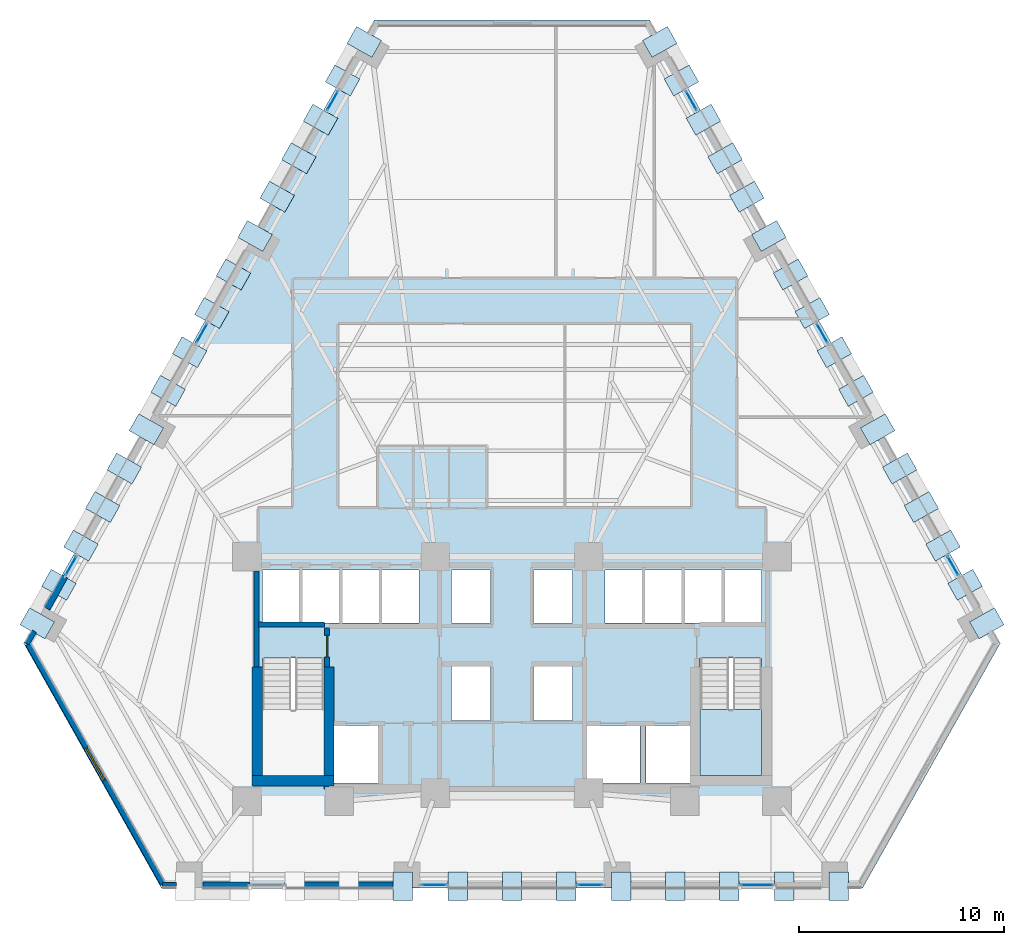
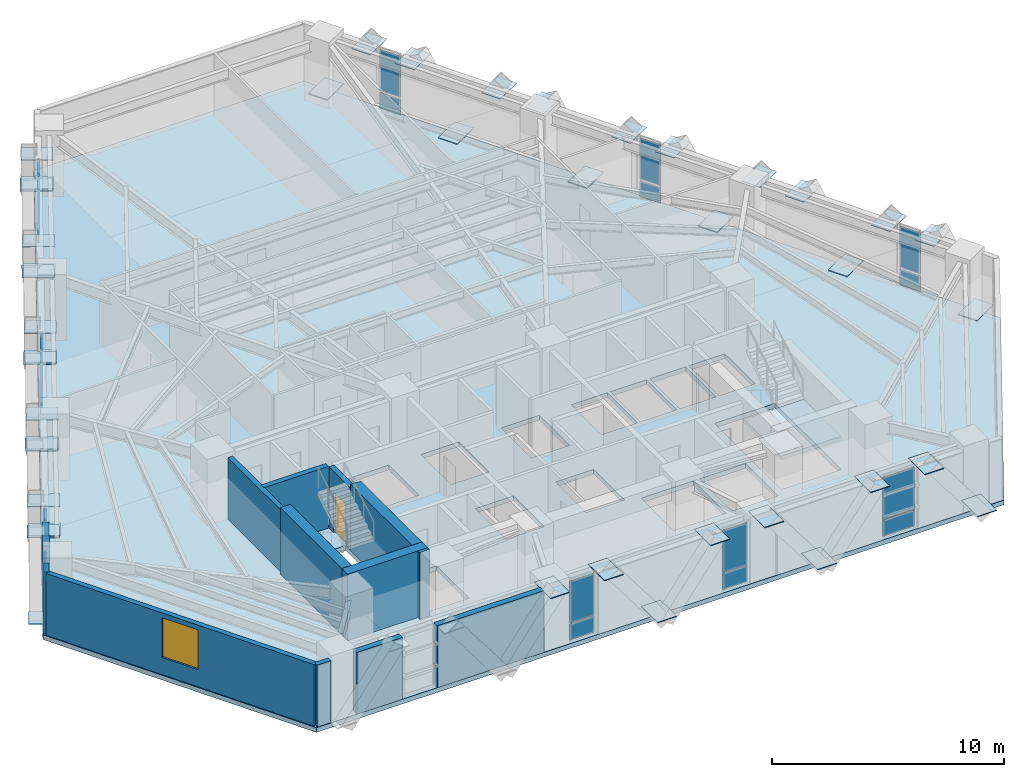
# One storey, part 6 of 13: 59 plates, 12 walls, 2 slabs, 1 door, 1 window, 2 openings, 10 elements without a shape of their own.
"""IFC4 building model written with IfcOpenShell, lengths in metres."""

from ifc_helpers import new_model, si_unit, direction, frame, frame_2d, origin, origin_2d, place, context, subcontext, project, spatial, polyline, rectangle, outline, extrude, material, layer, layer_set, type_object, element, fill, aggregate, save


model = new_model("IFC4")

# Units and contexts
model_context = context("Model", 3, precision=1e-05, world=origin(), true_north=direction((0.0, 1.0)))
body_context = subcontext(model_context, "Body", "Model", "MODEL_VIEW")
ifc_project = project(units=[si_unit("LENGTHUNIT", "METRE"), si_unit("AREAUNIT", "SQUARE_METRE"), si_unit("VOLUMEUNIT", "CUBIC_METRE"), si_unit("PLANEANGLEUNIT", "RADIAN"), si_unit("MASSUNIT", "GRAM", prefix="KILO")], contexts=[model_context])

# Site, building, storey
site_placement = place(None, origin())
site = spatial("IfcSite", under=ifc_project, at=site_placement, CompositionType="ELEMENT")
building_placement = place(site_placement, origin())
building = spatial("IfcBuilding", under=site, at=building_placement, Name="Quenlor Broadcast Tower", CompositionType="ELEMENT")
storey_placement = place(building_placement, frame((0.0, 0.0, 59.10009765625)))
storey = spatial("IfcBuildingStorey", under=building, at=storey_placement, Name="L15", CompositionType="ELEMENT", Elevation=59.10009765625)

# Curtain wall, plates
ifc_material_1 = material(Name="Architectural Terracotta and Low-E Glazing", Category="masonry")
curtain_wall_type = type_object("IfcCurtainWallType", Name="Unitised Terracotta Curtain Wall System Z1", PredefinedType="NOTDEFINED", material=ifc_material_1)
curtain_wall_1_placement = place(storey_placement, origin())
curtain_wall_1 = element("IfcCurtainWall", 1, at=curtain_wall_1_placement, inside=storey, type_object=curtain_wall_type, Name="L15 Curtain Wall CW1 (L15-SA-G1)", PredefinedType="NOTDEFINED")
ifc_material_2 = material(Name="Double Glazed Low-E Solar Glass", Category="glass")
ifc_layer_1 = layer(ifc_material_2, 0.031982421875)
ifc_layer_set_1 = layer_set([ifc_layer_1], Name="CW1 Double Glazed Vision Panel 32")
plate_type_1 = type_object("IfcPlateType", Name="CW1 Double Glazed Vision Panel 32", PredefinedType="CURTAIN_PANEL", material=ifc_layer_set_1)
plate_1_placement = place(storey_placement, frame((11.970703125, -20.840087890625, 0.079833984375), z_axis=(0.0, 0.0, 1.0), x_axis=(-1.0, 0.0, 0.0)))
plate_1 = element("IfcPlate", 2, at=plate_1_placement, type_object=plate_type_1, Name="CW1 panel 1.1", PredefinedType="CURTAIN_PANEL", context=body_context, shape_type="SweptSolid", body=[
    extrude(rectangle(XDim=1.568359375, YDim=0.031982421875, at=origin_2d()), origin(), (0.0, 0.0, 1.0), 0.830078125),
])
plate_2_placement = place(storey_placement, frame((11.970703125, -20.840087890625, 0.98974609375), z_axis=(0.0, 0.0, 1.0), x_axis=(-1.0, 0.0, 0.0)))
plate_2 = element("IfcPlate", 3, at=plate_2_placement, type_object=plate_type_1, Name="CW1 panel 1.2", PredefinedType="CURTAIN_PANEL", context=body_context, shape_type="SweptSolid", body=[
    extrude(rectangle(XDim=1.568359375, YDim=0.031982421875, at=origin_2d()), origin(), (0.0, 0.0, 1.0), 2.179931640625),
])
aggregate(curtain_wall_1, [plate_1, plate_2])

curtain_wall_2_placement = place(storey_placement, origin())
curtain_wall_2 = element("IfcCurtainWall", 4, at=curtain_wall_2_placement, inside=storey, type_object=curtain_wall_type, Name="L15 Curtain Wall CW1 (L15-S-G1)", PredefinedType="NOTDEFINED")
plate_3_placement = place(storey_placement, frame((3.81103515625, -20.840087890625, 0.079833984375), z_axis=(0.0, 0.0, 1.0), x_axis=(-1.0, 0.0, 0.0)))
plate_3 = element("IfcPlate", 5, at=plate_3_placement, type_object=plate_type_1, Name="CW1 panel 1.1", PredefinedType="CURTAIN_PANEL", context=body_context, shape_type="SweptSolid", body=[
    extrude(rectangle(XDim=1.209716796875, YDim=0.031982421875, at=origin_2d()), origin(), (0.0, 0.0, 1.0), 0.830078125),
])
plate_4_placement = place(storey_placement, frame((3.81103515625, -20.840087890625, 0.98974609375), z_axis=(0.0, 0.0, 1.0), x_axis=(-1.0, 0.0, 0.0)))
plate_4 = element("IfcPlate", 6, at=plate_4_placement, type_object=plate_type_1, Name="CW1 panel 1.2", PredefinedType="CURTAIN_PANEL", context=body_context, shape_type="SweptSolid", body=[
    extrude(rectangle(XDim=1.209716796875, YDim=0.031982421875, at=origin_2d()), origin(), (0.0, 0.0, 1.0), 2.179931640625),
])
aggregate(curtain_wall_2, [plate_3, plate_4])

curtain_wall_3_placement = place(storey_placement, origin())
curtain_wall_3 = element("IfcCurtainWall", 7, at=curtain_wall_3_placement, inside=storey, type_object=curtain_wall_type, Name="L15 Curtain Wall CW1 (L15-S-G2)", PredefinedType="NOTDEFINED")
plate_5_placement = place(storey_placement, frame((-3.81103515625, -20.840087890625, 0.079833984375), z_axis=(0.0, 0.0, 1.0), x_axis=(-1.0, 0.0, 0.0)))
plate_5 = element("IfcPlate", 8, at=plate_5_placement, type_object=plate_type_1, Name="CW1 panel 1.1", PredefinedType="CURTAIN_PANEL", context=body_context, shape_type="SweptSolid", body=[
    extrude(rectangle(XDim=1.209716796875, YDim=0.031982421875, at=origin_2d()), origin(), (0.0, 0.0, 1.0), 0.830078125),
])
plate_6_placement = place(storey_placement, frame((-3.81103515625, -20.840087890625, 0.98974609375), z_axis=(0.0, 0.0, 1.0), x_axis=(-1.0, 0.0, 0.0)))
plate_6 = element("IfcPlate", 9, at=plate_6_placement, type_object=plate_type_1, Name="CW1 panel 1.2", PredefinedType="CURTAIN_PANEL", context=body_context, shape_type="SweptSolid", body=[
    extrude(rectangle(XDim=1.209716796875, YDim=0.031982421875, at=origin_2d()), origin(), (0.0, 0.0, 1.0), 2.179931640625),
])
aggregate(curtain_wall_3, [plate_5, plate_6])

curtain_wall_4_placement = place(storey_placement, origin())
curtain_wall_4 = element("IfcCurtainWall", 10, at=curtain_wall_4_placement, inside=storey, type_object=curtain_wall_type, Name="L15 Curtain Wall CW1 (L15-NEA-G1)", PredefinedType="NOTDEFINED")
plate_7_placement = place(storey_placement, frame((8.766845703125, 17.48779296875, 0.079833984375), z_axis=(0.0, 0.0, 1.0), x_axis=(0.490276943553, -0.871566703483, 0.0)))
plate_7 = element("IfcPlate", 11, at=plate_7_placement, type_object=plate_type_1, Name="CW1 panel 1.1", PredefinedType="CURTAIN_PANEL", context=body_context, shape_type="SweptSolid", body=[
    extrude(rectangle(XDim=1.04931640625, YDim=0.031982421875, at=origin_2d()), origin(), (0.0, 0.0, 1.0), 0.830078125),
])
plate_8_placement = place(storey_placement, frame((8.766845703125, 17.48779296875, 0.98974609375), z_axis=(0.0, 0.0, 1.0), x_axis=(0.490276943553, -0.871566703483, 0.0)))
plate_8 = element("IfcPlate", 12, at=plate_8_placement, type_object=plate_type_1, Name="CW1 panel 1.2", PredefinedType="CURTAIN_PANEL", context=body_context, shape_type="SweptSolid", body=[
    extrude(rectangle(XDim=1.04931640625, YDim=0.031982421875, at=origin_2d()), origin(), (0.0, 0.0, 1.0), 2.179931640625),
])
aggregate(curtain_wall_4, [plate_7, plate_8])

curtain_wall_5_placement = place(storey_placement, origin())
curtain_wall_5 = element("IfcCurtainWall", 13, at=curtain_wall_5_placement, inside=storey, type_object=curtain_wall_type, Name="L15 Curtain Wall CW1 (L15-NEC-G1)", PredefinedType="NOTDEFINED")
plate_9_placement = place(storey_placement, frame((21.553955078125, -5.24462890625, 0.079833984375), z_axis=(0.0, 0.0, 1.0), x_axis=(0.490276943553, -0.871566703483, 0.0)))
plate_9 = element("IfcPlate", 14, at=plate_9_placement, type_object=plate_type_1, Name="CW1 panel 1.1", PredefinedType="CURTAIN_PANEL", context=body_context, shape_type="SweptSolid", body=[
    extrude(rectangle(XDim=1.04931640625, YDim=0.031982421875, at=origin_2d()), origin(), (0.0, 0.0, 1.0), 0.830078125),
])
plate_10_placement = place(storey_placement, frame((21.553955078125, -5.24462890625, 0.98974609375), z_axis=(0.0, 0.0, 1.0), x_axis=(0.490276943553, -0.871566703483, 0.0)))
plate_10 = element("IfcPlate", 15, at=plate_10_placement, type_object=plate_type_1, Name="CW1 panel 1.2", PredefinedType="CURTAIN_PANEL", context=body_context, shape_type="SweptSolid", body=[
    extrude(rectangle(XDim=1.04931640625, YDim=0.031982421875, at=origin_2d()), origin(), (0.0, 0.0, 1.0), 2.179931640625),
])
aggregate(curtain_wall_5, [plate_9, plate_10])

curtain_wall_6_placement = place(storey_placement, origin())
curtain_wall_6 = element("IfcCurtainWall", 16, at=curtain_wall_6_placement, inside=storey, type_object=curtain_wall_type, Name="L15 Curtain Wall CW1 (L15-NE-G1)", PredefinedType="NOTDEFINED")
plate_11_placement = place(storey_placement, frame((15.16064453125, 6.12158203125, 0.079833984375), z_axis=(0.0, 0.0, 1.0), x_axis=(0.490276943553, -0.871566703483, 0.0)))
plate_11 = element("IfcPlate", 17, at=plate_11_placement, type_object=plate_type_1, Name="CW1 panel 1.1", PredefinedType="CURTAIN_PANEL", context=body_context, shape_type="SweptSolid", body=[
    extrude(rectangle(XDim=1.04931640625, YDim=0.031982421875, at=origin_2d()), origin(), (0.0, 0.0, 1.0), 0.830078125),
])
plate_12_placement = place(storey_placement, frame((15.16064453125, 6.12158203125, 0.98974609375), z_axis=(0.0, 0.0, 1.0), x_axis=(0.490276943553, -0.871566703483, 0.0)))
plate_12 = element("IfcPlate", 18, at=plate_12_placement, type_object=plate_type_1, Name="CW1 panel 1.2", PredefinedType="CURTAIN_PANEL", context=body_context, shape_type="SweptSolid", body=[
    extrude(rectangle(XDim=1.04931640625, YDim=0.031982421875, at=origin_2d()), origin(), (0.0, 0.0, 1.0), 2.179931640625),
])
aggregate(curtain_wall_6, [plate_11, plate_12])

curtain_wall_7_placement = place(storey_placement, origin())
curtain_wall_7 = element("IfcCurtainWall", 19, at=curtain_wall_7_placement, inside=storey, type_object=curtain_wall_type, Name="L15 Curtain Wall CW1 (L15-NWA-G1)", PredefinedType="NOTDEFINED")
plate_13_placement = place(storey_placement, frame((-21.553955078125, -5.24462890625, 0.079833984375), z_axis=(0.0, 0.0, 1.0), x_axis=(0.490276943553, 0.871566703483, 0.0)))
plate_13 = element("IfcPlate", 20, at=plate_13_placement, type_object=plate_type_1, Name="CW1 panel 1.1", PredefinedType="CURTAIN_PANEL", context=body_context, shape_type="SweptSolid", body=[
    extrude(rectangle(XDim=1.04931640625, YDim=0.031982421875, at=origin_2d()), origin(), (0.0, 0.0, 1.0), 0.830078125),
])
plate_14_placement = place(storey_placement, frame((-21.553955078125, -5.24462890625, 0.98974609375), z_axis=(0.0, 0.0, 1.0), x_axis=(0.490276943553, 0.871566703483, 0.0)))
plate_14 = element("IfcPlate", 21, at=plate_14_placement, type_object=plate_type_1, Name="CW1 panel 1.2", PredefinedType="CURTAIN_PANEL", context=body_context, shape_type="SweptSolid", body=[
    extrude(rectangle(XDim=1.04931640625, YDim=0.031982421875, at=origin_2d()), origin(), (0.0, 0.0, 1.0), 2.179931640625),
])
aggregate(curtain_wall_7, [plate_13, plate_14])

curtain_wall_8_placement = place(storey_placement, origin())
curtain_wall_8 = element("IfcCurtainWall", 22, at=curtain_wall_8_placement, inside=storey, type_object=curtain_wall_type, Name="L15 Curtain Wall CW1 (L15-NWC-G1)", PredefinedType="NOTDEFINED")
plate_15_placement = place(storey_placement, frame((-8.766845703125, 17.48779296875, 0.079833984375), z_axis=(0.0, 0.0, 1.0), x_axis=(0.490276943553, 0.871566703483, 0.0)))
plate_15 = element("IfcPlate", 23, at=plate_15_placement, type_object=plate_type_1, Name="CW1 panel 1.1", PredefinedType="CURTAIN_PANEL", context=body_context, shape_type="SweptSolid", body=[
    extrude(rectangle(XDim=1.04931640625, YDim=0.031982421875, at=origin_2d()), origin(), (0.0, 0.0, 1.0), 0.830078125),
])
plate_16_placement = place(storey_placement, frame((-8.766845703125, 17.48779296875, 0.98974609375), z_axis=(0.0, 0.0, 1.0), x_axis=(0.490276943553, 0.871566703483, 0.0)))
plate_16 = element("IfcPlate", 24, at=plate_16_placement, type_object=plate_type_1, Name="CW1 panel 1.2", PredefinedType="CURTAIN_PANEL", context=body_context, shape_type="SweptSolid", body=[
    extrude(rectangle(XDim=1.04931640625, YDim=0.031982421875, at=origin_2d()), origin(), (0.0, 0.0, 1.0), 2.179931640625),
])
aggregate(curtain_wall_8, [plate_15, plate_16])

curtain_wall_9_placement = place(storey_placement, origin())
curtain_wall_9 = element("IfcCurtainWall", 25, at=curtain_wall_9_placement, inside=storey, type_object=curtain_wall_type, Name="L15 Curtain Wall CW1 (L15-NW-G1)", PredefinedType="NOTDEFINED")
plate_17_placement = place(storey_placement, frame((-15.16064453125, 6.12158203125, 0.079833984375), z_axis=(0.0, 0.0, 1.0), x_axis=(0.490276943553, 0.871566703483, 0.0)))
plate_17 = element("IfcPlate", 26, at=plate_17_placement, type_object=plate_type_1, Name="CW1 panel 1.1", PredefinedType="CURTAIN_PANEL", context=body_context, shape_type="SweptSolid", body=[
    extrude(rectangle(XDim=1.04931640625, YDim=0.031982421875, at=origin_2d()), origin(), (0.0, 0.0, 1.0), 0.830078125),
])
plate_18_placement = place(storey_placement, frame((-15.16064453125, 6.12158203125, 0.98974609375), z_axis=(0.0, 0.0, 1.0), x_axis=(0.490276943553, 0.871566703483, 0.0)))
plate_18 = element("IfcPlate", 27, at=plate_18_placement, type_object=plate_type_1, Name="CW1 panel 1.2", PredefinedType="CURTAIN_PANEL", context=body_context, shape_type="SweptSolid", body=[
    extrude(rectangle(XDim=1.04931640625, YDim=0.031982421875, at=origin_2d()), origin(), (0.0, 0.0, 1.0), 2.179931640625),
])
aggregate(curtain_wall_9, [plate_17, plate_18])

# Stair, slab
ifc_material_3 = material(Name="Precast concrete C40/50", Category="concrete")
stair_type = type_object("IfcStairType", Name="Precast Concrete C40/50 Dogleg Stair H350", PredefinedType="HALF_TURN_STAIR", material=ifc_material_3)
stair_placement = place(storey_placement, origin())
stair = element("IfcStair", 28, at=stair_placement, inside=storey, type_object=stair_type, Name="L15 East Core Fire-Isolated Exit Stair ST-2", PredefinedType="HALF_TURN_STAIR")
ifc_material_4 = material(Name="Precast concrete C40/50", Category="concrete")
ifc_layer_2 = layer(ifc_material_4, 0.199951171875)
ifc_layer_set_2 = layer_set([ifc_layer_2], Name="Precast Concrete C40/50 Stair Landing Slab 200")
slab_type_1 = type_object("IfcSlabType", Name="Precast Concrete C40/50 Stair Landing Slab 200", PredefinedType="LANDING", material=ifc_layer_set_2)
slab_1_placement = place(storey_placement, frame((0.0, 0.0, 1.5498046875)))
slab_1 = element("IfcSlab", 29, at=slab_1_placement, type_object=slab_type_1, Name="ST-2 landing 1", PredefinedType="LANDING", context=body_context, shape_type="SweptSolid", body=[
    extrude(outline(polyline([(9.199951171875, -12.27001953125), (9.199951171875, -15.5), (12.199951171875, -15.5), (12.199951171875, -12.27001953125), (9.199951171875, -12.27001953125)])), origin(), (0.0, 0.0, 1.0), 0.2001953125),
])
aggregate(stair, [slab_1])

# Slab
ifc_material_5 = material(Name="Concrete C40/50", Category="concrete")
ifc_layer_3 = layer(ifc_material_5, 0.25)
ifc_layer_set_3 = layer_set([ifc_layer_3], Name="Tower Composite Concrete C40/50 Slab 250")
slab_type_2 = type_object("IfcSlabType", Name="Tower Composite Concrete C40/50 Slab 250", PredefinedType="FLOOR", material=ifc_layer_set_3)
slab_2_placement = place(storey_placement, frame((0.0, 0.0, -0.25)))
element("IfcSlab", 30, at=slab_2_placement, inside=storey, type_object=slab_type_2, Name="L15 Structural Floor Slab", PredefinedType="FLOOR", context=body_context, shape_type="SweptSolid", body=[
    extrude(outline(polyline([(17.135986328125, -21.0), (23.867919921875, -9.031982421875), (6.73193359375, 21.431884765625), (-6.73193359375, 21.431884765625), (-23.867919921875, -9.031982421875), (-17.135986328125, -21.0), (17.135986328125, -21.0)]), holes=[polyline([(-12.199951171875, -9.758056640625), (-12.199951171875, -15.5), (-9.199951171875, -15.5), (-9.199951171875, -9.758056640625), (-12.199951171875, -9.758056640625)]), polyline([(9.199951171875, -9.758056640625), (9.199951171875, -15.5), (12.199951171875, -15.5), (12.199951171875, -9.758056640625), (9.199951171875, -9.758056640625)]), polyline([(-12.199951171875, -8.050048828125), (-10.39990234375, -8.050048828125), (-10.39990234375, -5.449951171875), (-12.199951171875, -5.449951171875), (-12.199951171875, -8.050048828125)]), polyline([(-10.25, -8.050048828125), (-8.449951171875, -8.050048828125), (-8.449951171875, -5.449951171875), (-10.25, -5.449951171875), (-10.25, -8.050048828125)]), polyline([(-8.300048828125, -8.050048828125), (-6.5, -8.050048828125), (-6.5, -5.449951171875), (-8.300048828125, -5.449951171875), (-8.300048828125, -8.050048828125)]), polyline([(-6.35009765625, -8.050048828125), (-4.550048828125, -8.050048828125), (-4.550048828125, -5.449951171875), (-6.35009765625, -5.449951171875), (-6.35009765625, -8.050048828125)]), polyline([(-2.949951171875, -8.050048828125), (-1.050048828125, -8.050048828125), (-1.050048828125, -5.449951171875), (-2.949951171875, -5.449951171875), (-2.949951171875, -8.050048828125)]), polyline([(1.050048828125, -8.050048828125), (2.949951171875, -8.050048828125), (2.949951171875, -5.449951171875), (1.050048828125, -5.449951171875), (1.050048828125, -8.050048828125)]), polyline([(-2.949951171875, -12.800048828125), (-1.050048828125, -12.800048828125), (-1.050048828125, -10.14990234375), (-2.949951171875, -10.14990234375), (-2.949951171875, -12.800048828125)]), polyline([(1.050048828125, -12.800048828125), (2.949951171875, -12.800048828125), (2.949951171875, -10.14990234375), (1.050048828125, -10.14990234375), (1.050048828125, -12.800048828125)]), polyline([(4.550048828125, -8.050048828125), (6.35009765625, -8.050048828125), (6.35009765625, -5.449951171875), (4.550048828125, -5.449951171875), (4.550048828125, -8.050048828125)]), polyline([(6.5, -8.050048828125), (8.300048828125, -8.050048828125), (8.300048828125, -5.449951171875), (6.5, -5.449951171875), (6.5, -8.050048828125)]), polyline([(8.449951171875, -8.050048828125), (10.25, -8.050048828125), (10.25, -5.449951171875), (8.449951171875, -5.449951171875), (8.449951171875, -8.050048828125)]), polyline([(10.39990234375, -8.050048828125), (12.199951171875, -8.050048828125), (12.199951171875, -5.449951171875), (10.39990234375, -5.449951171875), (10.39990234375, -8.050048828125)]), polyline([(-8.85009765625, -15.85009765625), (-6.550048828125, -15.85009765625), (-6.550048828125, -13.050048828125), (-8.85009765625, -13.050048828125), (-8.85009765625, -15.85009765625)]), polyline([(6.550048828125, -15.85009765625), (8.85009765625, -15.85009765625), (8.85009765625, -13.050048828125), (6.550048828125, -13.050048828125), (6.550048828125, -15.85009765625)]), polyline([(3.64990234375, -15.85009765625), (6.25, -15.85009765625), (6.25, -13.050048828125), (3.64990234375, -13.050048828125), (3.64990234375, -15.85009765625)])]), origin(), (0.0, 0.0, 1.0), 0.25),
])

# Plates
ifc_material_6 = material(Name="Steel S355", Category="steel")
ifc_layer_4 = layer(ifc_material_6, 0.035888671875)
ifc_layer_set_4 = layer_set([ifc_layer_4], Name="Transfer Truss Steel S355 Gusset Node Plate 1400x950x36")
plate_type_2 = type_object("IfcPlateType", Name="Transfer Truss Steel S355 Gusset Node Plate 1400x950x36", PredefinedType="SHEET", material=ifc_layer_set_4)
for number, where, z_axis, x_axis, name in (
    (31, (15.9609375, -20.89990234375, 0.0419921875), (0.0, 0.0, 1.0), (0.0, -1.0, 0.0), "L15 Lattice Tie Gusset Node S-B0"),
    (32, (13.31689453125, -20.89990234375, 3.18212890625), (0.0, 0.0, 1.0), (0.0, -1.0, 0.0), "L15 Lattice Tie Gusset Node S-T1"),
    (33, (7.98046875, -20.89990234375, 0.0419921875), (0.0, 0.0, 1.0), (0.0, -1.0, 0.0), "L15 Lattice Tie Gusset Node S-B3"),
    (34, (10.624755859375, -20.89990234375, 3.18212890625), (0.0, 0.0, 1.0), (0.0, -1.0, 0.0), "L15 Lattice Tie Gusset Node S-T2"),
    (35, (5.336181640625, -20.89990234375, 3.18212890625), (0.0, 0.0, 1.0), (0.0, -1.0, 0.0), "L15 Lattice Tie Gusset Node S-T4"),
    (36, (0.0, -20.89990234375, 0.0419921875), (0.0, 0.0, 1.0), (0.0, -1.0, 0.0), "L15 Lattice Tie Gusset Node S-B6"),
    (37, (2.644287109375, -20.89990234375, 3.18212890625), (0.0, 0.0, 1.0), (0.0, -1.0, 0.0), "L15 Lattice Tie Gusset Node S-T5"),
    (38, (-2.644287109375, -20.89990234375, 3.18212890625), (0.0, 0.0, 1.0), (0.0, -1.0, 0.0), "L15 Lattice Tie Gusset Node S-T7"),
    (39, (-5.336181640625, -20.89990234375, 3.18212890625), (0.0, 0.0, 1.0), (0.0, -1.0, 0.0), "L15 Lattice Tie Gusset Node S-T8"),
    (40, (7.220947265625, 20.35888671875, 0.0419921875), (0.0, 0.0, 1.0), (0.871556314255, 0.490295412055, 0.0), "L15 Lattice Tie Gusset Node NE-B0"),
    (41, (8.280029296875, 18.475830078125, 3.18212890625), (0.0, 0.0, 1.0), (0.871556314255, 0.490295412055, 0.0), "L15 Lattice Tie Gusset Node NE-T1"),
    (42, (10.41748046875, 14.67578125, 0.0419921875), (0.0, 0.0, 1.0), (0.871556314255, 0.490295412055, 0.0), "L15 Lattice Tie Gusset Node NE-B3"),
    (43, (9.3583984375, 16.558837890625, 3.18212890625), (0.0, 0.0, 1.0), (0.871556314255, 0.490295412055, 0.0), "L15 Lattice Tie Gusset Node NE-T2"),
    (44, (11.476806640625, 12.792724609375, 3.18212890625), (0.0, 0.0, 1.0), (0.871556314255, 0.490295412055, 0.0), "L15 Lattice Tie Gusset Node NE-T4"),
    (45, (13.614501953125, 8.99267578125, 0.0419921875), (0.0, 0.0, 1.0), (0.871556314255, 0.490295412055, 0.0), "L15 Lattice Tie Gusset Node NE-B6"),
    (46, (12.55517578125, 10.87548828125, 3.18212890625), (0.0, 0.0, 1.0), (0.871556314255, 0.490295412055, 0.0), "L15 Lattice Tie Gusset Node NE-T5"),
    (47, (14.673583984375, 7.109619140625, 3.18212890625), (0.0, 0.0, 1.0), (0.871556314255, 0.490295412055, 0.0), "L15 Lattice Tie Gusset Node NE-T7"),
    (48, (16.811279296875, 3.309326171875, 0.0419921875), (0.0, 0.0, 1.0), (0.871556314255, 0.490295412055, 0.0), "L15 Lattice Tie Gusset Node NE-B9"),
    (49, (15.751953125, 5.1923828125, 3.18212890625), (0.0, 0.0, 1.0), (0.871556314255, 0.490295412055, 0.0), "L15 Lattice Tie Gusset Node NE-T8"),
    (50, (17.870361328125, 1.426513671875, 3.18212890625), (0.0, 0.0, 1.0), (0.871556314255, 0.490295412055, 0.0), "L15 Lattice Tie Gusset Node NE-T10"),
    (51, (20.008056640625, -2.373779296875, 0.0419921875), (0.0, 0.0, 1.0), (0.871556314255, 0.490295412055, 0.0), "L15 Lattice Tie Gusset Node NE-B12"),
    (52, (18.94873046875, -0.49072265625, 3.18212890625), (0.0, 0.0, 1.0), (0.871556314255, 0.490295412055, 0.0), "L15 Lattice Tie Gusset Node NE-T11"),
    (53, (21.067138671875, -4.256591796875, 3.18212890625), (0.0, 0.0, 1.0), (0.871556314255, 0.490295412055, 0.0), "L15 Lattice Tie Gusset Node NE-T13"),
    (54, (23.20458984375, -8.056884765625, 0.0419921875), (0.0, 0.0, 1.0), (0.871556314255, 0.490295412055, 0.0), "L15 Lattice Tie Gusset Node NE-B15"),
    (55, (22.1455078125, -6.173828125, 3.18212890625), (0.0, 0.0, 1.0), (0.871556314255, 0.490295412055, 0.0), "L15 Lattice Tie Gusset Node NE-T14"),
    (56, (-23.20458984375, -8.056884765625, 0.0419921875), (0.0, 0.0, 1.0), (-0.871556314255, 0.490295412055, 0.0), "L15 Lattice Tie Gusset Node NW-B0"),
    (57, (-22.1455078125, -6.173828125, 3.18212890625), (0.0, 0.0, 1.0), (-0.871556314255, 0.490295412055, 0.0), "L15 Lattice Tie Gusset Node NW-T1"),
    (58, (-20.008056640625, -2.373779296875, 0.0419921875), (0.0, 0.0, 1.0), (-0.871556314255, 0.490295412055, 0.0), "L15 Lattice Tie Gusset Node NW-B3"),
    (59, (-21.067138671875, -4.256591796875, 3.18212890625), (0.0, 0.0, 1.0), (-0.871556314255, 0.490295412055, 0.0), "L15 Lattice Tie Gusset Node NW-T2"),
    (60, (-18.94873046875, -0.49072265625, 3.18212890625), (0.0, 0.0, 1.0), (-0.871556314255, 0.490295412055, 0.0), "L15 Lattice Tie Gusset Node NW-T4"),
    (61, (-16.811279296875, 3.309326171875, 0.0419921875), (0.0, 0.0, 1.0), (-0.871556314255, 0.490295412055, 0.0), "L15 Lattice Tie Gusset Node NW-B6"),
    (62, (-17.870361328125, 1.426513671875, 3.18212890625), (0.0, 0.0, 1.0), (-0.871556314255, 0.490295412055, 0.0), "L15 Lattice Tie Gusset Node NW-T5"),
    (63, (-15.751953125, 5.1923828125, 3.18212890625), (0.0, 0.0, 1.0), (-0.871556314255, 0.490295412055, 0.0), "L15 Lattice Tie Gusset Node NW-T7"),
    (64, (-13.614501953125, 8.99267578125, 0.0419921875), (0.0, 0.0, 1.0), (-0.871556314255, 0.490295412055, 0.0), "L15 Lattice Tie Gusset Node NW-B9"),
    (65, (-14.673583984375, 7.109619140625, 3.18212890625), (0.0, 0.0, 1.0), (-0.871556314255, 0.490295412055, 0.0), "L15 Lattice Tie Gusset Node NW-T8"),
    (66, (-12.55517578125, 10.87548828125, 3.18212890625), (0.0, 0.0, 1.0), (-0.871556314255, 0.490295412055, 0.0), "L15 Lattice Tie Gusset Node NW-T10"),
    (67, (-10.41748046875, 14.67578125, 0.0419921875), (0.0, 0.0, 1.0), (-0.871556314255, 0.490295412055, 0.0), "L15 Lattice Tie Gusset Node NW-B12"),
    (68, (-11.476806640625, 12.792724609375, 3.18212890625), (0.0, 0.0, 1.0), (-0.871556314255, 0.490295412055, 0.0), "L15 Lattice Tie Gusset Node NW-T11"),
    (69, (-9.3583984375, 16.558837890625, 3.18212890625), (0.0, 0.0, 1.0), (-0.871556314255, 0.490295412055, 0.0), "L15 Lattice Tie Gusset Node NW-T13"),
    (70, (-7.220947265625, 20.35888671875, 0.0419921875), (0.0, 0.0, 1.0), (-0.871556314255, 0.490295412055, 0.0), "L15 Lattice Tie Gusset Node NW-B15"),
    (71, (-8.280029296875, 18.475830078125, 3.18212890625), (0.0, 0.0, 1.0), (-0.871556314255, 0.490295412055, 0.0), "L15 Lattice Tie Gusset Node NW-T14"),
):
    element("IfcPlate", number, at=place(storey_placement, frame(where, z_axis=z_axis, x_axis=x_axis)), inside=storey, type_object=plate_type_2, Name=name, PredefinedType="SHEET", context=body_context, shape_type="SweptSolid", body=[
        extrude(rectangle(XDim=1.39990234375, YDim=0.949951171875, at=origin_2d()), origin(), (0.0, 0.0, 1.0), 0.035888671875),
    ])

# Walls
ifc_material_7 = material(Name="Concrete C65/80", Category="concrete")
ifc_layer_5 = layer(ifc_material_7, 0.5)
ifc_layer_set_5 = layer_set([ifc_layer_5], Name="Core Concrete C65/80 Shear Wall 500")
wall_type_1 = type_object("IfcWallType", Name="Core Concrete C65/80 Shear Wall 500", PredefinedType="SHEAR", material=ifc_layer_set_5)
wall_1_placement = place(storey_placement, frame((-12.699951171875, -15.75, 0.0), z_axis=(0.0, 0.0, 1.0), x_axis=(1.0, 0.0, 0.0)))
element("IfcWall", 72, at=wall_1_placement, inside=storey, type_object=wall_type_1, Name="L15 Core Shear Wall WS-W1", PredefinedType="SHEAR", context=body_context, shape_type="SweptSolid", body=[
    extrude(rectangle(XDim=4.0, YDim=0.5, at=frame_2d((2.0, 0.0))), origin(), (0.0, 0.0, 1.0), 3.5),
])
wall_2_placement = place(storey_placement, frame((-12.449951171875, -15.75, 0.0), z_axis=(0.0, 0.0, 1.0), x_axis=(0.0, 1.0, 0.0)))
element("IfcWall", 73, at=wall_2_placement, inside=storey, type_object=wall_type_1, Name="L15 Core Shear Wall WF-W", PredefinedType="SHEAR", context=body_context, shape_type="SweptSolid", body=[
    extrude(rectangle(XDim=5.550048828125, YDim=0.5, at=frame_2d((2.77490234375, 0.0))), origin(), (0.0, 0.0, 1.0), 3.5),
])
wall_3_placement = place(storey_placement, frame((-8.949951171875, -16.14990234375, 0.0), z_axis=(0.0, 0.0, 1.0), x_axis=(0.0, 1.0, 0.0)))
element("IfcWall", 74, at=wall_3_placement, inside=storey, type_object=wall_type_1, Name="L15 Core Shear Wall WI-W", PredefinedType="SHEAR", context=body_context, shape_type="SweptSolid", body=[
    extrude(rectangle(XDim=5.949951171875, YDim=0.5, at=frame_2d((2.97509765625, 0.0))), origin(), (0.0, 0.0, 1.0), 3.5),
])

# Wall, opening, door
ifc_material_8 = material(Name="Concrete C40/50", Category="concrete")
ifc_layer_6 = layer(ifc_material_8, 0.25)
ifc_layer_set_6 = layer_set([ifc_layer_6], Name="Fire Rated Concrete C40/50 Core Wall 250")
wall_type_2 = type_object("IfcWallType", Name="Fire Rated Concrete C40/50 Core Wall 250", PredefinedType="PARTITIONING", material=ifc_layer_set_6)
wall_4_placement = place(storey_placement, frame((-9.0400390625, -10.179931640625, 0.0), z_axis=(0.0, 0.0, 1.0), x_axis=(0.0, 1.0, 0.0)))
wall_4 = element("IfcWall", 75, at=wall_4_placement, inside=storey, type_object=wall_type_2, Name="L15 Interior Wall CW-ST1-DR", PredefinedType="PARTITIONING", context=body_context, shape_type="SweptSolid", body=[
    extrude(rectangle(XDim=1.89990234375, YDim=0.25, at=frame_2d((0.949951171875, 0.0))), origin(), (0.0, 0.0, 1.0), 3.25),
])
opening_1_placement = place(wall_4_placement, frame((0.47998046875, 0.0, 0.0)))
opening_1 = element("IfcOpeningElement", 76, at=opening_1_placement, cuts=wall_4, Name="Opening FD-1", PredefinedType="OPENING", context=body_context, shape_type="SweptSolid", body=[
    extrude(rectangle(XDim=1.050048828125, YDim=2.14990234375, at=frame_2d((0.52490234375, 1.074951171875))), frame((0.0, 0.135009765625, 0.0), z_axis=(0.0, -1.0, 0.0), x_axis=(1.0, 0.0, 0.0)), (0.0, 0.0, 1.0), 0.27001953125),
])
ifc_material_9 = material(Name="Fire Rated Steel Door Leaf", Category="steel")
door_type = type_object("IfcDoorType", Name="Fire Isolated Stair Door 1050x2150", OperationType="NOTDEFINED", PredefinedType="DOOR", material=ifc_material_9)
door_placement = place(opening_1_placement, origin())
door = element("IfcDoor", 77, at=door_placement, inside=storey, type_object=door_type, Name="L15 Door DR-ST1", OperationType="SINGLE_SWING_LEFT", OverallHeight=2.14990234375, OverallWidth=1.050048828125, PredefinedType="DOOR", context=body_context, shape_type="SweptSolid", body=[
    extrude(rectangle(XDim=1.050048828125, YDim=2.14990234375, at=frame_2d((0.52490234375, 1.074951171875))), frame((0.0, 0.02490234375, 0.0), z_axis=(0.0, -1.0, 0.0), x_axis=(1.0, 0.0, 0.0)), (0.0, 0.0, 1.0), 0.050048828125),
])
fill(opening_1, door)

# Walls
wall_5_placement = place(storey_placement, frame((-12.3798828125, -8.1201171875, 0.0), z_axis=(0.0, 0.0, 1.0), x_axis=(1.0, 0.0, 0.0)))
element("IfcWall", 78, at=wall_5_placement, inside=storey, type_object=wall_type_2, Name="L15 Interior Wall CW-ST1-N", PredefinedType="PARTITIONING", context=body_context, shape_type="SweptSolid", body=[
    extrude(rectangle(XDim=3.219970703125, YDim=0.25, at=frame_2d((1.60986328125, 0.0))), origin(), (0.0, 0.0, 1.0), 3.25),
])
wall_6_placement = place(storey_placement, frame((-12.47998046875, -10.179931640625, 0.0), z_axis=(0.0, 0.0, 1.0), x_axis=(0.0, 1.0, 0.0)))
element("IfcWall", 79, at=wall_6_placement, inside=storey, type_object=wall_type_2, Name="L15 Interior Wall CW-ST1-W2", PredefinedType="PARTITIONING", context=body_context, shape_type="SweptSolid", body=[
    extrude(rectangle(XDim=4.677978515625, YDim=0.25, at=frame_2d((2.3388671875, 0.0))), origin(), (0.0, 0.0, 1.0), 3.25),
])
ifc_material_10 = material(Name="Precast concrete C40/50", Category="concrete")
ifc_layer_7 = layer(ifc_material_10, 0.239990234375)
ifc_layer_set_7 = layer_set([ifc_layer_7], Name="Terrace Threshold Precast Concrete C40/50 Wall 240")
wall_type_3 = type_object("IfcWallType", Name="Terrace Threshold Precast Concrete C40/50 Wall 240", PredefinedType="STANDARD", material=ifc_layer_set_7)
wall_7_placement = place(storey_placement, frame((-16.39501953125, -20.840087890625, 0.0), z_axis=(0.0, 0.0, 1.0), x_axis=(-1.0, 0.0, 0.0)))
element("IfcWall", 80, at=wall_7_placement, inside=storey, type_object=wall_type_3, Name="L15 Exterior Wall L15-SHD-SS1", PredefinedType="STANDARD", context=body_context, shape_type="SweptSolid", body=[
    extrude(rectangle(XDim=0.680908203125, YDim=0.239990234375, at=frame_2d((0.34033203125, 0.0))), origin(), (0.0, 0.0, 1.0), 3.25),
])
wall_8_placement = place(storey_placement, frame((-23.69921875, -9.05810546875, 0.0), z_axis=(0.0, 0.0, 1.0), x_axis=(0.490523074758, 0.871428203084, 0.0)))
element("IfcWall", 81, at=wall_8_placement, inside=storey, type_object=wall_type_3, Name="L15 Exterior Wall L15-SHD-NWS0", PredefinedType="STANDARD", context=body_context, shape_type="SweptSolid", body=[
    extrude(rectangle(XDim=0.708251953125, YDim=0.239990234375, at=frame_2d((0.35400390625, 0.0))), origin(), (0.0, 0.0, 1.0), 3.25),
])

# Wall, opening, window
wall_9_placement = place(storey_placement, frame((-23.659912109375, -9.07568359375, 0.0), z_axis=(0.0, 0.0, 1.0), x_axis=(0.490268135177, -0.871571658345, 0.0)))
wall_9 = element("IfcWall", 82, at=wall_9_placement, inside=storey, type_object=wall_type_3, Name="L15 Exterior Wall L15-CNR-04", PredefinedType="STANDARD", context=body_context, shape_type="SweptSolid", body=[
    extrude(rectangle(XDim=13.44775390625, YDim=0.239990234375, at=frame_2d((6.723876953125, 0.0))), origin(), (0.0, 0.0, 1.0), 3.25),
])
opening_2_placement = place(wall_9_placement, frame((5.823974609375, 0.0, 0.89990234375)))
opening_2 = element("IfcOpeningElement", 83, at=opening_2_placement, cuts=wall_9, Name="Opening WN-1", PredefinedType="OPENING", context=body_context, shape_type="SweptSolid", body=[
    extrude(rectangle(XDim=1.800048828125, YDim=2.10009765625, at=frame_2d((0.89990234375, 1.050048828125))), frame((0.0, 0.1298828125, 0.0), z_axis=(0.0, -1.0, 0.0), x_axis=(1.0, 0.0, 0.0)), (0.0, 0.0, 1.0), 0.260009765625),
])
ifc_material_11 = material(Name="Thermally Broken Aluminium and Low-E Glass", Category="aluminium")
window_type = type_object("IfcWindowType", Name="Tower Acoustic Vision Window 1800x2100", PartitioningType="SINGLE_PANEL", PredefinedType="WINDOW", material=ifc_material_11)
window_placement = place(opening_2_placement, origin())
window = element("IfcWindow", 84, at=window_placement, inside=storey, type_object=window_type, Name="L15 Corner Chamfer Window 4", OverallHeight=2.10009765625, OverallWidth=1.800048828125, PartitioningType="SINGLE_PANEL", PredefinedType="WINDOW", context=body_context, shape_type="SweptSolid", body=[
    extrude(rectangle(XDim=1.800048828125, YDim=2.10009765625, at=frame_2d((0.89990234375, 1.050048828125))), frame((0.0, 0.030029296875, 0.0), z_axis=(0.0, -1.0, 0.0), x_axis=(1.0, 0.0, 0.0)), (0.0, 0.0, 1.0), 0.06005859375),
])
fill(opening_2, window)

# Walls
ifc_material_12 = material(Name="Precast concrete C40/50", Category="concrete")
ifc_layer_8 = layer(ifc_material_12, 0.300048828125)
ifc_layer_set_8 = layer_set([ifc_layer_8], Name="Terracotta Precast Concrete C40/50 Spandrel Wall 300")
wall_type_4 = type_object("IfcWallType", Name="Terracotta Precast Concrete C40/50 Spandrel Wall 300", PredefinedType="STANDARD", material=ifc_layer_set_8)
wall_10_placement = place(storey_placement, frame((-5.790771484375, -20.840087890625, 0.0), z_axis=(0.0, 0.0, 1.0), x_axis=(-1.0, 0.0, 0.0)))
element("IfcWall", 85, at=wall_10_placement, inside=storey, type_object=wall_type_4, Name="L15 Exterior Wall L15-SC-SP1", PredefinedType="STANDARD", context=body_context, shape_type="SweptSolid", body=[
    extrude(rectangle(XDim=5.31591796875, YDim=0.300048828125, at=frame_2d((2.657958984375, 0.0))), origin(), (0.0, 0.0, 1.0), 3.25),
])
wall_11_placement = place(storey_placement, frame((-12.8349609375, -20.840087890625, 0.0), z_axis=(0.0, 0.0, 1.0), x_axis=(-1.0, 0.0, 0.0)))
element("IfcWall", 86, at=wall_11_placement, inside=storey, type_object=wall_type_4, Name="L15 Exterior Wall L15-SC-SP2", PredefinedType="STANDARD", context=body_context, shape_type="SweptSolid", body=[
    extrude(rectangle(XDim=2.280029296875, YDim=0.300048828125, at=frame_2d((1.14013671875, 0.0))), origin(), (0.0, 0.0, 1.0), 3.25),
])
wall_12_placement = place(storey_placement, frame((-22.724365234375, -7.3251953125, 0.0), z_axis=(0.0, 0.0, 1.0), x_axis=(0.490241729391, 0.871586511348, 0.0)))
element("IfcWall", 87, at=wall_12_placement, inside=storey, type_object=wall_type_4, Name="L15 Exterior Wall L15-NWA-SP1", PredefinedType="STANDARD", context=body_context, shape_type="SweptSolid", body=[
    extrude(rectangle(XDim=1.7822265625, YDim=0.300048828125, at=frame_2d((0.89111328125, 0.0))), origin(), (0.0, 0.0, 1.0), 3.25),
])

save(model, "model.ifc")
